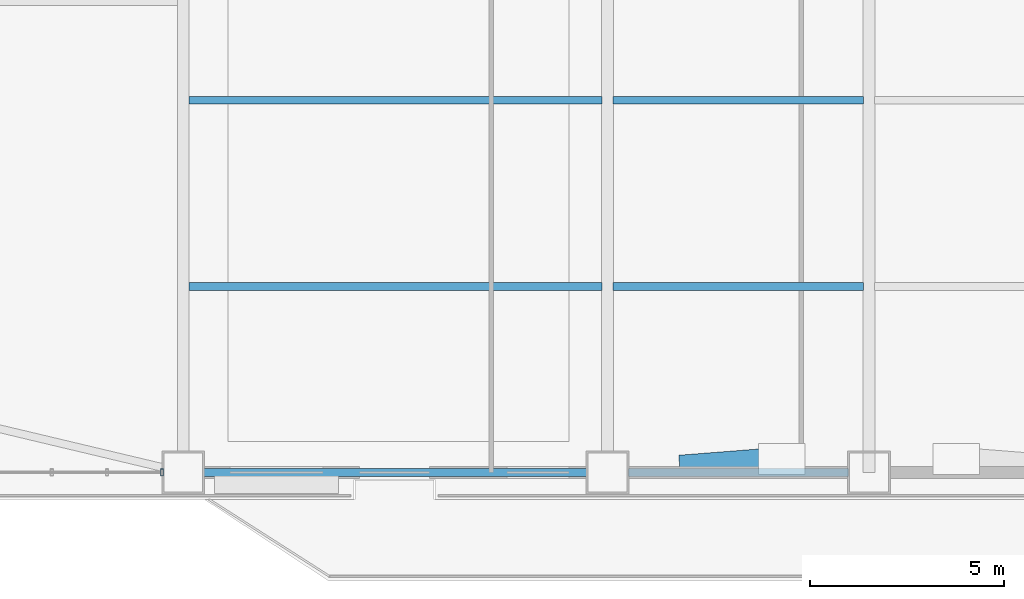
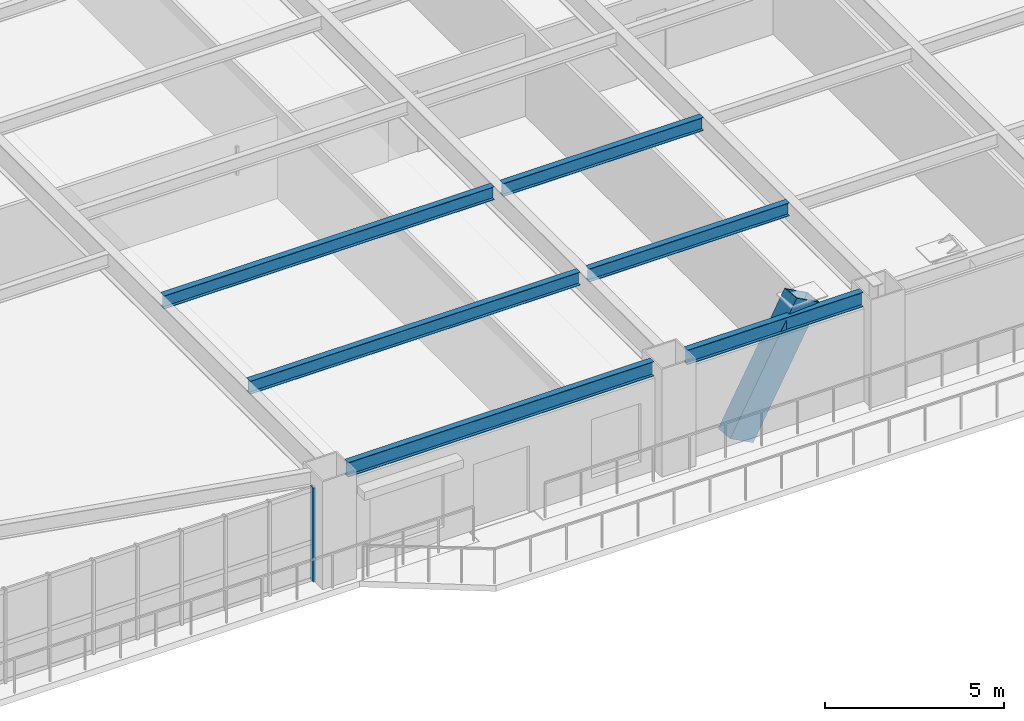
# One storey, part 4 of 17: 6 beams, 2 members, 1 element without a shape of its own.
"""IFC4 building model written with IfcOpenShell, lengths in metres."""

from ifc_helpers import new_model, si_unit, direction, frame, origin, origin_2d, place, context, subcontext, project, spatial, hollow_rectangle, i_section, extrude, source, transform, mapped, material, layer, layer_set, material_profile, profile_set, type_object, element, aggregate, save


model = new_model("IFC4")

# Units and contexts
model_context = context("Model", 3, precision=1e-05, world=origin(), true_north=direction((0.0, 1.0)))
body_context = subcontext(model_context, "Body", "Model", "MODEL_VIEW")
ifc_project = project(units=[si_unit("LENGTHUNIT", "METRE"), si_unit("AREAUNIT", "SQUARE_METRE"), si_unit("VOLUMEUNIT", "CUBIC_METRE"), si_unit("PLANEANGLEUNIT", "RADIAN"), si_unit("MASSUNIT", "GRAM", prefix="KILO")], contexts=[model_context])

# Site, building, storey
site_placement = place(None, origin())
site = spatial("IfcSite", under=ifc_project, at=site_placement, CompositionType="ELEMENT")
building_placement = place(site_placement, origin())
building = spatial("IfcBuilding", under=site, at=building_placement, Name="Giltprow Tower", CompositionType="ELEMENT")
storey_placement = place(building_placement, frame((0.0, 0.0, 41.0)))
storey = spatial("IfcBuildingStorey", under=building, at=storey_placement, Name="L10", CompositionType="ELEMENT", Elevation=41.0)

# Beams
ifc_material_1 = material(Name="Structural steel Q355B", Category="steel")
ifc_material_profile_1 = material_profile(ifc_material_1, i_section(OverallWidth=0.199951171875, OverallDepth=0.5, WebThickness=0.010009765625, FlangeThickness=0.01611328125, at=origin_2d()), Name="HN 500x200x10x16")
ifc_profile_set_1 = profile_set([ifc_material_profile_1], Name="Structural steel Q355B")
beam_type_1 = type_object("IfcBeamType", Name="BM-SPAN-HN500", PredefinedType="SPANDREL", material=ifc_profile_set_1)
shared_shape_1 = source(origin(), body_context, "Body", "SweptSolid", [
    extrude(i_section(OverallWidth=0.199951171875, OverallDepth=0.5, WebThickness=0.010009765625, FlangeThickness=0.01611328125, at=origin_2d()), origin(), (0.0, 0.0, 1.0), 9.8798828125),
])
beam_1_placement = place(storey_placement, frame((20.385009765625, 3.826904296875, 3.429931640625), z_axis=(1.0, 0.0, 0.0), x_axis=(0.0, 1.0, 0.0)))
element("IfcBeam", 1, at=beam_1_placement, inside=storey, type_object=beam_type_1, Name="L10 Perimeter Spandrel Beam S1-S2", PredefinedType="SPANDREL", context=body_context, shape_type="MappedRepresentation", body=[
    mapped(shared_shape_1, transform((0.0, 0.0, 0.0), x_axis=(1.0, 0.0, 0.0), y_axis=(0.0, 1.0, 0.0), z_axis=(0.0, 0.0, 1.0), scale=1.0)),
])
shared_shape_2 = source(origin(), body_context, "Body", "SweptSolid", [
    extrude(i_section(OverallWidth=0.199951171875, OverallDepth=0.5, WebThickness=0.010009765625, FlangeThickness=0.01611328125, at=origin_2d()), origin(), (0.0, 0.0, 1.0), 5.679931640625),
])
beam_2_placement = place(storey_placement, frame((31.3349609375, 3.826904296875, 3.429931640625), z_axis=(1.0, 0.0, 0.0), x_axis=(0.0, 1.0, 0.0)))
element("IfcBeam", 2, at=beam_2_placement, inside=storey, type_object=beam_type_1, Name="L10 Perimeter Spandrel Beam S2-S_MID", PredefinedType="SPANDREL", context=body_context, shape_type="MappedRepresentation", body=[
    mapped(shared_shape_2, transform((0.0, 0.0, 0.0), x_axis=(1.0, 0.0, 0.0), y_axis=(0.0, 1.0, 0.0), z_axis=(0.0, 0.0, 1.0), scale=1.0)),
])
ifc_material_profile_2 = material_profile(ifc_material_1, i_section(OverallWidth=0.199951171875, OverallDepth=0.449951171875, WebThickness=0.009033203125, FlangeThickness=0.013916015625, at=origin_2d()), Name="HN 450x200x9x14")
ifc_profile_set_2 = profile_set([ifc_material_profile_2], Name="Structural steel Q355B")
beam_type_2 = type_object("IfcBeamType", Name="BM-JOIST-HN450", PredefinedType="JOIST", material=ifc_profile_set_2)
shared_shape_3 = source(origin(), body_context, "Body", "SweptSolid", [
    extrude(i_section(OverallWidth=0.199951171875, OverallDepth=0.449951171875, WebThickness=0.009033203125, FlangeThickness=0.013916015625, at=origin_2d()), origin(), (0.0, 0.0, 1.0), 10.659912109375),
])
for number, where, z_axis, x_axis, name in (
    (3, (19.9951171875, 8.6298828125, 3.455078125), (1.0, 0.0, 0.0), (0.0, 1.0, 0.0), "L10 Composite Floor Joist 1-1"),
    (4, (19.9951171875, 13.43408203125, 3.455078125), (1.0, 0.0, 0.0), (0.0, 1.0, 0.0), "L10 Composite Floor Joist 2-1"),
):
    element("IfcBeam", number, at=place(storey_placement, frame(where, z_axis=z_axis, x_axis=x_axis)), inside=storey, type_object=beam_type_2, Name=name, PredefinedType="JOIST", context=body_context, shape_type="MappedRepresentation", body=[
        mapped(shared_shape_3, transform((0.0, 0.0, 0.0), x_axis=(1.0, 0.0, 0.0), y_axis=(0.0, 1.0, 0.0), z_axis=(0.0, 0.0, 1.0), scale=1.0)),
    ])
shared_shape_4 = source(origin(), body_context, "Body", "SweptSolid", [
    extrude(i_section(OverallWidth=0.199951171875, OverallDepth=0.449951171875, WebThickness=0.009033203125, FlangeThickness=0.013916015625, at=origin_2d()), origin(), (0.0, 0.0, 1.0), 6.4599609375),
])
for number, where, z_axis, x_axis, name in (
    (5, (30.945068359375, 8.6298828125, 3.455078125), (1.0, 0.0, 0.0), (0.0, 1.0, 0.0), "L10 Composite Floor Joist 1-2"),
    (6, (30.945068359375, 13.43408203125, 3.455078125), (1.0, 0.0, 0.0), (0.0, 1.0, 0.0), "L10 Composite Floor Joist 2-2"),
):
    element("IfcBeam", number, at=place(storey_placement, frame(where, z_axis=z_axis, x_axis=x_axis)), inside=storey, type_object=beam_type_2, Name=name, PredefinedType="JOIST", context=body_context, shape_type="MappedRepresentation", body=[
        mapped(shared_shape_4, transform((0.0, 0.0, 0.0), x_axis=(1.0, 0.0, 0.0), y_axis=(0.0, 1.0, 0.0), z_axis=(0.0, 0.0, 1.0), scale=1.0)),
    ])

# Member
ifc_material_2 = material(Name="Structural steel Q420GJC", Category="steel")
ifc_material_profile_3 = material_profile(ifc_material_2, hollow_rectangle(XDim=0.60009765625, YDim=0.89990234375, WallThickness=0.0400390625, at=origin_2d()), Name="RHS 900x600x40")
ifc_profile_set_3 = profile_set([ifc_material_profile_3], Name="Structural steel Q420GJC")
member_type_1 = type_object("IfcMemberType", Name="MBR-MEGA-RHS900", PredefinedType="BRACE", material=ifc_profile_set_3)
shared_shape_5 = source(origin(), body_context, "Body", "SweptSolid", [
    extrude(hollow_rectangle(XDim=0.60009765625, YDim=0.89990234375, WallThickness=0.0400390625, at=origin_2d()), origin(), (0.0, 0.0, 1.0), 4.505859375),
])
member_1_placement = place(storey_placement, frame((33.050048828125, 4.0029296875, 0.0), z_axis=(0.499354580458, 0.038849526279, 0.865526266085), x_axis=(-0.077565091902, 0.996987290049, 0.0)))
element("IfcMember", 7, at=member_1_placement, inside=storey, type_object=member_type_1, Name="L10 Chevron Mega-Brace S-L", PredefinedType="BRACE", context=body_context, shape_type="MappedRepresentation", body=[
    mapped(shared_shape_5, transform((0.0, 0.0, 0.0), x_axis=(1.0, 0.0, 0.0), y_axis=(0.0, 1.0, 0.0), z_axis=(0.0, 0.0, 1.0), scale=1.0)),
])

# Curtain wall, member
ifc_material_3 = material(Name="Anodized bronze", Category="metal")
ifc_layer = layer(ifc_material_3, 0.179931640625, Name="Anodized bronze")
ifc_layer_set = layer_set([ifc_layer], Name="Anodized bronze")
curtain_wall_type = type_object("IfcCurtainWallType", Name="CW-OFF-RECESSED", PredefinedType="NOTDEFINED", material=ifc_layer_set)
curtain_wall_placement = place(storey_placement, origin())
curtain_wall = element("IfcCurtainWall", 8, at=curtain_wall_placement, inside=storey, type_object=curtain_wall_type, Name="L10 South Recessed Curtain Wall 1", PredefinedType="NOTDEFINED")
ifc_material_profile_4 = material_profile(ifc_material_3, hollow_rectangle(XDim=0.074951171875, YDim=0.179931640625, WallThickness=0.008056640625, at=origin_2d()), Name="RHS 180x75x8")
ifc_profile_set_4 = profile_set([ifc_material_profile_4], Name="Anodized bronze")
member_type_2 = type_object("IfcMemberType", Name="CW-MULLION-180x75", PredefinedType="MULLION", material=ifc_profile_set_4)
shared_shape_6 = source(origin(), body_context, "Body", "SweptSolid", [
    extrude(hollow_rectangle(XDim=0.074951171875, YDim=0.179931640625, WallThickness=0.008056640625, at=origin_2d()), origin(), (0.0, 0.0, 1.0), 3.215087890625),
])
member_2_placement = place(storey_placement, frame((19.300048828125, 3.826904296875, -0.02001953125), z_axis=(0.0, 0.0, 1.0), x_axis=(1.0, 0.0, 0.0)))
member_2 = element("IfcMember", 9, at=member_2_placement, type_object=member_type_2, Name="L10 South Recessed Curtain Wall 1 Mullion 10", PredefinedType="MULLION", context=body_context, shape_type="MappedRepresentation", body=[
    mapped(shared_shape_6, transform((0.0, 0.0, 0.0), x_axis=(1.0, 0.0, 0.0), y_axis=(0.0, 1.0, 0.0), z_axis=(0.0, 0.0, 1.0), scale=1.0)),
])
aggregate(curtain_wall, [member_2])

save(model, "model.ifc")
